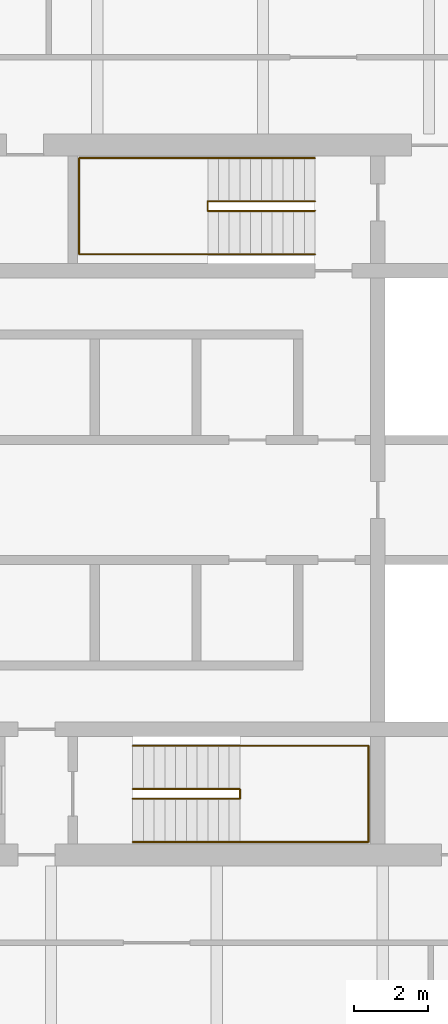
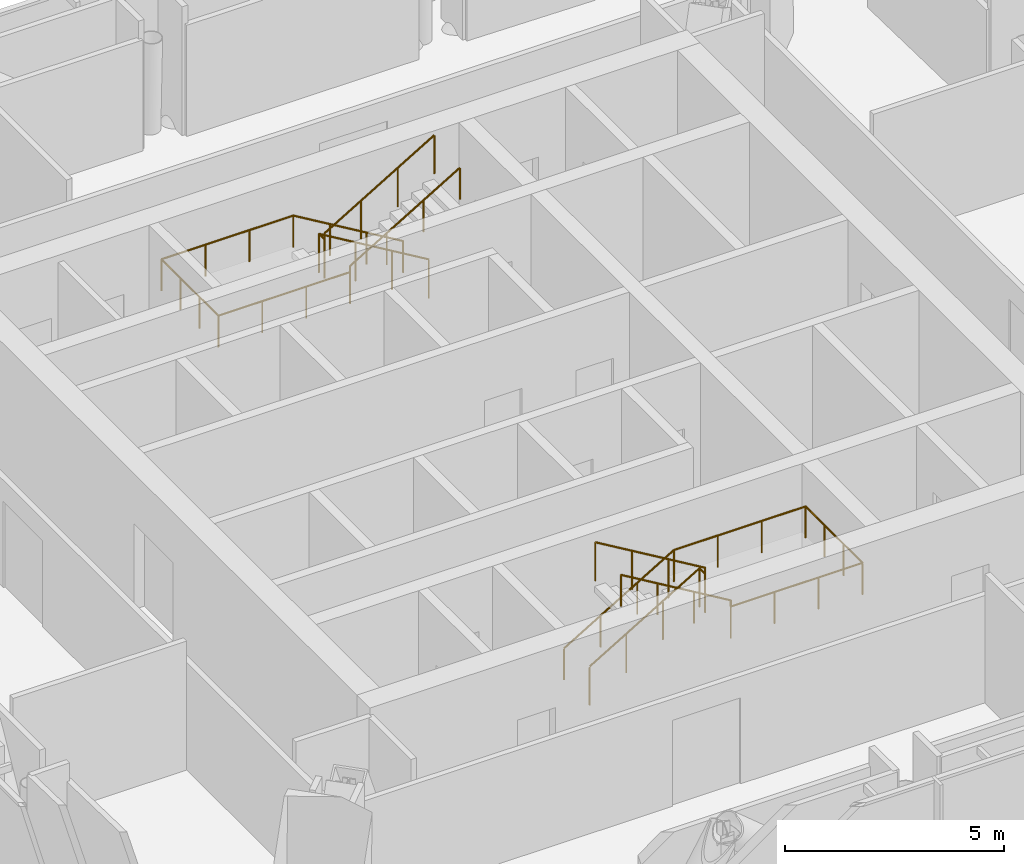
# One storey, part 8 of 8: 4 railings.
"""IFC4 building model written with IfcOpenShell, lengths in metres."""

import ifcopenshell
import ifcopenshell.guid

model = None  # the IFC model being written
_history = None  # IfcOwnerHistory: only IFC2X3 demands one
_inside = {}  # id of a spatial element -> (the spatial element, [elements in it])
_under = {}  # id of a project, library or spatial element -> (it, [spatial elements below it])
_declared = {}  # id of a project -> (the project, [libraries it declares])
_typed = {}  # id of a type object -> (the type object, [elements of that type])
_made_of = {}  # id of a material, layer set ... -> (it, [elements and type objects made of it])


def new_model(schema):
    """Start an empty IFC model of exactly this schema.

    Asked for "IFC4X3", IfcOpenShell would pick the latest addendum, in which some entities
    have other attributes; the version numbers below select the first issue.
    IFC2X3 requires an IfcOwnerHistory on every rooted entity: one is made here for all.
    """
    global model, _history
    if schema == "IFC4X3":
        model = ifcopenshell.file(schema_version=(4, 3, 0, 0))
    else:
        model = ifcopenshell.file(schema=schema)
    _inside.clear()
    _under.clear()
    _declared.clear()
    _typed.clear()
    _made_of.clear()
    _history = None
    if model.schema == "IFC2X3":
        org = make("IfcOrganization", Name="unknown")
        user = make(
            "IfcPersonAndOrganization",
            ThePerson=make("IfcPerson", FamilyName="unknown"),
            TheOrganization=org,
        )
        app = make(
            "IfcApplication",
            ApplicationDeveloper=org,
            Version="unknown",
            ApplicationFullName="unknown",
            ApplicationIdentifier="unknown",
        )
        _history = make(
            "IfcOwnerHistory",
            OwningUser=user,
            OwningApplication=app,
            ChangeAction="ADDED",
            CreationDate=0,
        )
    return model


def make(cls, **values):
    """One entity of the class cls with the attributes given. An attribute that is None is left unset."""
    return model.create_entity(
        cls, **{name: value for name, value in values.items() if value is not None}
    )


def rooted(cls, **values):
    """An entity with a GlobalId (a new one), such as an element, a storey or a relation."""
    return make(cls, GlobalId=ifcopenshell.guid.new(), OwnerHistory=_history, **values)


def si_unit(unit_type, name, prefix=None):
    """IfcSIUnit, for example si_unit("LENGTHUNIT", "METRE", prefix="MILLI")."""
    return make("IfcSIUnit", UnitType=unit_type, Prefix=prefix, Name=name)


def assignment(units):
    """IfcUnitAssignment: the units of a project."""
    return None if units is None else make("IfcUnitAssignment", Units=units)


def point(xyz):
    """IfcCartesianPoint."""
    return None if xyz is None else make("IfcCartesianPoint", Coordinates=xyz)


def direction(xyz):
    """IfcDirection."""
    return None if xyz is None else make("IfcDirection", DirectionRatios=xyz)


def frame(location, z_axis=None, x_axis=None):
    """IfcAxis2Placement3D, a coordinate frame: its origin and axes. An axis left out is left unset."""
    return make(
        "IfcAxis2Placement3D",
        Location=point(location),
        Axis=direction(z_axis),
        RefDirection=direction(x_axis),
    )


def frame_2d(location, x_axis=None):
    """IfcAxis2Placement2D, a coordinate frame in the plane: its origin and x axis."""
    return make(
        "IfcAxis2Placement2D", Location=point(location), RefDirection=direction(x_axis)
    )


def origin():
    """The frame at (0, 0, 0) with its axes left unset."""
    return frame((0.0, 0.0, 0.0))


def origin_2d():
    """The frame at (0, 0) in the plane with its x axis left unset."""
    return frame_2d((0.0, 0.0))


def place(relative_to, where):
    """IfcLocalPlacement: puts the frame where relative to a parent placement (None: the world)."""
    return make(
        "IfcLocalPlacement", PlacementRelTo=relative_to, RelativePlacement=where
    )


def context(
    kind, dimensions, precision=None, world=None, true_north=None, identifier=None
):
    """IfcGeometricRepresentationContext, for example the 3D "Model" context."""
    return make(
        "IfcGeometricRepresentationContext",
        ContextIdentifier=identifier,
        ContextType=kind,
        CoordinateSpaceDimension=dimensions,
        Precision=precision,
        WorldCoordinateSystem=world,
        TrueNorth=true_north,
    )


def subcontext(parent, identifier, kind, view, scale=None):
    """IfcGeometricRepresentationSubContext, for example "Body" below "Model"."""
    return make(
        "IfcGeometricRepresentationSubContext",
        ContextIdentifier=identifier,
        ContextType=kind,
        ParentContext=parent,
        TargetScale=scale,
        TargetView=view,
    )


def project(units=None, contexts=None):
    """IfcProject with its units and contexts."""
    return rooted(
        "IfcProject",
        Name="project",
        RepresentationContexts=contexts,
        UnitsInContext=assignment(units),
    )


def spatial(cls, under=None, at=None, **own):
    """A site, building, storey or space (cls), placed at a placement, below another one or the project."""
    s = rooted(cls, ObjectPlacement=at, **own)
    if under is not None:
        _under.setdefault(under.id(), (under, []))[1].append(s)
    return s


def profile(cls, at=None, kind="AREA", **sizes):
    """A parametric profile (cls). Its sizes go by their IFC names, for example OverallWidth=200.0."""
    return make(cls, ProfileType=kind, Position=at, **sizes)


def circle(**sizes):
    """IfcCircleProfileDef."""
    return profile("IfcCircleProfileDef", **sizes)


def extrude(swept, where, along, depth):
    """IfcExtrudedAreaSolid: the profile swept, set in the frame where, extruded along a direction by depth."""
    return make(
        "IfcExtrudedAreaSolid",
        SweptArea=swept,
        Position=where,
        ExtrudedDirection=direction(along),
        Depth=depth,
    )


def shape(context_of_items, identifier, shape_type, items):
    """IfcShapeRepresentation: the items that make up one representation, for example the "Body"."""
    return make(
        "IfcShapeRepresentation",
        ContextOfItems=context_of_items,
        RepresentationIdentifier=identifier,
        RepresentationType=shape_type,
        Items=items,
    )


def material(Name=None, Category=None):
    """IfcMaterial."""
    return make("IfcMaterial", Name=Name, Category=Category)


def made_of(thing, what):
    """Note that an element or type object is made of a material, layer set ...; save() writes the relation."""
    if what is not None:
        _made_of.setdefault(what.id(), (what, []))[1].append(thing)
    return thing


def type_object(cls, material=None, **own):
    """A type object (cls), such as IfcWallType, which elements share."""
    return made_of(rooted(cls, **own), material)


def element(
    cls,
    number,
    at=None,
    inside=None,
    cuts=None,
    type_object=None,
    material=None,
    context=None,
    identifier="Body",
    shape_type=None,
    held_by="IfcProductDefinitionShape",
    body=None,
    shapes=None,
    **own,
):
    """One element of the class cls, such as IfcWall. Its Tag is "e" and its number.

    at: its placement. inside: the storey or other place that contains it. cuts: it is an
    opening in that element (IfcRelVoidsElement). A single representation is given by context,
    identifier, shape_type and body (its items); several are given by shapes. held_by: the class
    of the entity that holds the representations. save() writes the other relations.
    """
    e = rooted(cls, Tag="e%d" % number, ObjectPlacement=at, **own)
    if body is not None:
        shapes = [shape(context, identifier, shape_type, body)]
    if shapes is not None:
        e.Representation = make(held_by, Representations=shapes)
    if inside is not None:
        _inside.setdefault(inside.id(), (inside, []))[1].append(e)
    if cuts is not None:
        rooted(
            "IfcRelVoidsElement", RelatingBuildingElement=cuts, RelatedOpeningElement=e
        )
    if type_object is not None:
        _typed.setdefault(type_object.id(), (type_object, []))[1].append(e)
    return made_of(e, material)


def aggregate(whole, parts):
    """IfcRelAggregates: a whole, such as a stair, and the parts it consists of."""
    return rooted("IfcRelAggregates", RelatingObject=whole, RelatedObjects=parts)


def save(model, path):
    """Write the relations noted so far, then the file.

    IfcRelAggregates (storeys below a building ...), IfcRelContainedInSpatialStructure (elements
    in a storey), IfcRelDefinesByType, IfcRelAssociatesMaterial and IfcRelDeclares: one each for
    every whole, place, type object, material and project.
    """
    for whole, parts in _under.values():
        aggregate(whole, parts)
    for where, things in _inside.values():
        rooted(
            "IfcRelContainedInSpatialStructure",
            RelatedElements=things,
            RelatingStructure=where,
        )
    for kind, things in _typed.values():
        rooted("IfcRelDefinesByType", RelatedObjects=things, RelatingType=kind)
    for what, things in _made_of.values():
        rooted("IfcRelAssociatesMaterial", RelatedObjects=things, RelatingMaterial=what)
    for by, libraries in _declared.values():
        rooted("IfcRelDeclares", RelatingContext=by, RelatedDefinitions=libraries)
    model.write(path)


model = new_model("IFC4")

# Units and contexts
model_context = context("Model", 3, precision=1e-05, world=origin(), true_north=direction((0.0, 1.0)))
body_context = subcontext(model_context, "Body", "Model", "MODEL_VIEW")
ifc_project = project(units=[si_unit("LENGTHUNIT", "METRE"), si_unit("AREAUNIT", "SQUARE_METRE"), si_unit("VOLUMEUNIT", "CUBIC_METRE"), si_unit("PLANEANGLEUNIT", "RADIAN"), si_unit("MASSUNIT", "GRAM", prefix="KILO")], contexts=[model_context])

# Site, building, storey
site_placement = place(None, origin())
site = spatial("IfcSite", under=ifc_project, at=site_placement, CompositionType="ELEMENT")
building_placement = place(site_placement, origin())
building = spatial("IfcBuilding", under=site, at=building_placement, Name="Ostroluk Exchange", CompositionType="ELEMENT")
storey_placement = place(building_placement, frame((0.0, 0.0, 230.0)))
storey = spatial("IfcBuildingStorey", under=building, at=storey_placement, Name="L59", CompositionType="ELEMENT", Elevation=230.0)

# Railings
ifc_material_1 = material(Name="Steel S355", Category="steel")
railing_type_1 = type_object("IfcRailingType", Name="Stair guard 1100", PredefinedType="GUARDRAIL", material=ifc_material_1)
railing_1_placement = place(storey_placement, frame((42.10009765625, 38.179931640625, 0.172607421875)))
element("IfcRailing", 1, at=railing_1_placement, inside=storey, type_object=railing_type_1, Name="Stair T1-S1 guard L59", PredefinedType="GUARDRAIL", context=body_context, shape_type="SweptSolid", body=[
    extrude(circle(Radius=0.02392578125, at=origin_2d()), frame((0.0, 0.0, 1.076171875), z_axis=(0.859141464434, 0.0, 0.511738159696), x_axis=(0.0, 1.0, 0.0)), (0.0, 0.0, 1.0), 3.375244140625),
    extrude(circle(Radius=0.02392578125, at=origin_2d()), frame((2.89990234375, 0.0, 2.80322265625), z_axis=(0.0, -1.0, 0.0), x_axis=(1.0, 0.0, 0.0)), (0.0, 0.0, 1.0), 0.260009765625),
    extrude(circle(Radius=0.02392578125, at=origin_2d()), frame((2.89990234375, -0.260009765625, 2.80322265625), z_axis=(0.0, 0.0, 1.0), x_axis=(1.0, 0.0, 0.0)), (0.0, 0.0, 1.0), 0.1728515625),
    extrude(circle(Radius=0.02392578125, at=origin_2d()), frame((2.89990234375, -0.260009765625, 2.97607421875), z_axis=(-0.859141464434, 0.0, 0.511738159696), x_axis=(0.0, -1.0, 0.0)), (0.0, 0.0, 1.0), 3.375244140625),
    extrude(circle(Radius=0.02099609375, at=origin_2d()), origin(), (0.0, 0.0, 1.0), 1.052001953125),
    extrude(circle(Radius=0.02099609375, at=origin_2d()), frame((0.966552734375, 0.0, 0.57568359375)), (0.0, 0.0, 1.0), 1.052001953125),
    extrude(circle(Radius=0.02099609375, at=origin_2d()), frame((1.933349609375, 0.0, 1.151611328125)), (0.0, 0.0, 1.0), 1.052001953125),
    extrude(circle(Radius=0.02099609375, at=origin_2d()), frame((2.89990234375, 0.0, 1.727294921875)), (0.0, 0.0, 1.0), 1.052001953125),
    extrude(circle(Radius=0.02099609375, at=origin_2d()), frame((2.89990234375, -0.260009765625, 1.727294921875)), (0.0, 0.0, 1.0), 1.052001953125),
    extrude(circle(Radius=0.02099609375, at=origin_2d()), frame((2.89990234375, -0.260009765625, 1.900146484375)), (0.0, 0.0, 1.0), 1.052001953125),
    extrude(circle(Radius=0.02099609375, at=origin_2d()), frame((1.933349609375, -0.260009765625, 2.475830078125)), (0.0, 0.0, 1.0), 1.052001953125),
    extrude(circle(Radius=0.02099609375, at=origin_2d()), frame((0.966552734375, -0.260009765625, 3.0517578125)), (0.0, 0.0, 1.0), 1.052001953125),
    extrude(circle(Radius=0.02099609375, at=origin_2d()), frame((0.0, -0.260009765625, 3.62744140625)), (0.0, 0.0, 1.0), 1.052001953125),
])
railing_2_placement = place(storey_placement, frame((47.030029296875, 54.080078125, 0.172607421875)))
element("IfcRailing", 2, at=railing_2_placement, inside=storey, type_object=railing_type_1, Name="Stair T1-S2 guard L59", PredefinedType="GUARDRAIL", context=body_context, shape_type="SweptSolid", body=[
    extrude(circle(Radius=0.02392578125, at=origin_2d()), frame((0.0, 0.0, 1.076171875), z_axis=(-0.859160404282, 0.0, 0.51170636083), x_axis=(0.0, -1.0, 0.0)), (0.0, 0.0, 1.0), 3.37548828125),
    extrude(circle(Radius=0.02392578125, at=origin_2d()), frame((-2.900146484375, 0.0, 2.80322265625), z_axis=(0.0, -1.0, 0.0), x_axis=(1.0, 0.0, 0.0)), (0.0, 0.0, 1.0), 0.260009765625),
    extrude(circle(Radius=0.02392578125, at=origin_2d()), frame((-2.900146484375, -0.260009765625, 2.80322265625), z_axis=(0.0, 0.0, 1.0), x_axis=(1.0, 0.0, 0.0)), (0.0, 0.0, 1.0), 0.1728515625),
    extrude(circle(Radius=0.02392578125, at=origin_2d()), frame((-2.900146484375, -0.260009765625, 2.97607421875), z_axis=(0.859160404282, 0.0, 0.51170636083), x_axis=(0.0, 1.0, 0.0)), (0.0, 0.0, 1.0), 3.37548828125),
    extrude(circle(Radius=0.02099609375, at=origin_2d()), origin(), (0.0, 0.0, 1.0), 1.052001953125),
    extrude(circle(Radius=0.02099609375, at=origin_2d()), frame((-0.966796875, 0.0, 0.57568359375)), (0.0, 0.0, 1.0), 1.052001953125),
    extrude(circle(Radius=0.02099609375, at=origin_2d()), frame((-1.933349609375, 0.0, 1.151611328125)), (0.0, 0.0, 1.0), 1.052001953125),
    extrude(circle(Radius=0.02099609375, at=origin_2d()), frame((-2.900146484375, 0.0, 1.727294921875)), (0.0, 0.0, 1.0), 1.052001953125),
    extrude(circle(Radius=0.02099609375, at=origin_2d()), frame((-2.900146484375, -0.260009765625, 1.727294921875)), (0.0, 0.0, 1.0), 1.052001953125),
    extrude(circle(Radius=0.02099609375, at=origin_2d()), frame((-2.900146484375, -0.260009765625, 1.900146484375)), (0.0, 0.0, 1.0), 1.052001953125),
    extrude(circle(Radius=0.02099609375, at=origin_2d()), frame((-1.933349609375, -0.260009765625, 2.475830078125)), (0.0, 0.0, 1.0), 1.052001953125),
    extrude(circle(Radius=0.02099609375, at=origin_2d()), frame((-0.966796875, -0.260009765625, 3.0517578125)), (0.0, 0.0, 1.0), 1.052001953125),
    extrude(circle(Radius=0.02099609375, at=origin_2d()), frame((0.0, -0.260009765625, 3.62744140625)), (0.0, 0.0, 1.0), 1.052001953125),
])
ifc_material_2 = material(Name="Stainless steel", Category="steel")
railing_type_2 = type_object("IfcRailingType", Name="Stair handrail 900", PredefinedType="HANDRAIL", material=ifc_material_2)
railing_3_placement = place(storey_placement, frame((42.10009765625, 39.35009765625, 0.172607421875)))
element("IfcRailing", 3, at=railing_3_placement, inside=storey, type_object=railing_type_2, Name="Stair T1-S1 handrail L59", PredefinedType="HANDRAIL", context=body_context, shape_type="SweptSolid", body=[
    extrude(circle(Radius=0.02392578125, at=origin_2d()), frame((0.0, 0.0, 0.8759765625), z_axis=(0.859141464434, 0.0, 0.511738159696), x_axis=(0.0, 1.0, 0.0)), (0.0, 0.0, 1.0), 3.375244140625),
    extrude(circle(Radius=0.02392578125, at=origin_2d()), frame((2.89990234375, 0.0, 2.60302734375), z_axis=(1.0, 0.0, 0.0), x_axis=(0.0, 1.0, 0.0)), (0.0, 0.0, 1.0), 3.47998046875),
    extrude(circle(Radius=0.02392578125, at=origin_2d()), frame((6.3798828125, 0.0, 2.60302734375), z_axis=(0.0, -1.0, 0.0), x_axis=(1.0, 0.0, 0.0)), (0.0, 0.0, 1.0), 2.60009765625),
    extrude(circle(Radius=0.02392578125, at=origin_2d()), frame((6.3798828125, -2.60009765625, 2.60302734375), z_axis=(-1.0, 0.0, 0.0), x_axis=(0.0, -1.0, 0.0)), (0.0, 0.0, 1.0), 3.47998046875),
    extrude(circle(Radius=0.02392578125, at=origin_2d()), frame((2.89990234375, -2.60009765625, 2.60302734375), z_axis=(0.0, 0.0, 1.0), x_axis=(1.0, 0.0, 0.0)), (0.0, 0.0, 1.0), 0.1728515625),
    extrude(circle(Radius=0.02392578125, at=origin_2d()), frame((2.89990234375, -2.60009765625, 2.77587890625), z_axis=(-0.859141464434, 0.0, 0.511738159696), x_axis=(0.0, -1.0, 0.0)), (0.0, 0.0, 1.0), 3.375244140625),
    extrude(circle(Radius=0.02099609375, at=origin_2d()), origin(), (0.0, 0.0, 1.0), 0.851806640625),
    extrude(circle(Radius=0.02099609375, at=origin_2d()), frame((0.966552734375, 0.0, 0.57568359375)), (0.0, 0.0, 1.0), 0.851806640625),
    extrude(circle(Radius=0.02099609375, at=origin_2d()), frame((1.933349609375, 0.0, 1.151611328125)), (0.0, 0.0, 1.0), 0.851806640625),
    extrude(circle(Radius=0.02099609375, at=origin_2d()), frame((2.89990234375, 0.0, 1.727294921875)), (0.0, 0.0, 1.0), 0.851806640625),
    extrude(circle(Radius=0.02099609375, at=origin_2d()), frame((4.059814453125, 0.0, 1.727294921875)), (0.0, 0.0, 1.0), 0.851806640625),
    extrude(circle(Radius=0.02099609375, at=origin_2d()), frame((5.219970703125, 0.0, 1.727294921875)), (0.0, 0.0, 1.0), 0.851806640625),
    extrude(circle(Radius=0.02099609375, at=origin_2d()), frame((6.3798828125, 0.0, 1.727294921875)), (0.0, 0.0, 1.0), 0.851806640625),
    extrude(circle(Radius=0.02099609375, at=origin_2d()), frame((6.3798828125, -0.86669921875, 1.727294921875)), (0.0, 0.0, 1.0), 0.851806640625),
    extrude(circle(Radius=0.02099609375, at=origin_2d()), frame((6.3798828125, -1.7333984375, 1.727294921875)), (0.0, 0.0, 1.0), 0.851806640625),
    extrude(circle(Radius=0.02099609375, at=origin_2d()), frame((6.3798828125, -2.60009765625, 1.727294921875)), (0.0, 0.0, 1.0), 0.851806640625),
    extrude(circle(Radius=0.02099609375, at=origin_2d()), frame((5.219970703125, -2.60009765625, 1.727294921875)), (0.0, 0.0, 1.0), 0.851806640625),
    extrude(circle(Radius=0.02099609375, at=origin_2d()), frame((4.059814453125, -2.60009765625, 1.727294921875)), (0.0, 0.0, 1.0), 0.851806640625),
    extrude(circle(Radius=0.02099609375, at=origin_2d()), frame((2.89990234375, -2.60009765625, 1.727294921875)), (0.0, 0.0, 1.0), 0.851806640625),
    extrude(circle(Radius=0.02099609375, at=origin_2d()), frame((2.89990234375, -2.60009765625, 1.900146484375)), (0.0, 0.0, 1.0), 0.851806640625),
    extrude(circle(Radius=0.02099609375, at=origin_2d()), frame((1.933349609375, -2.60009765625, 2.475830078125)), (0.0, 0.0, 1.0), 0.851806640625),
    extrude(circle(Radius=0.02099609375, at=origin_2d()), frame((0.966552734375, -2.60009765625, 3.0517578125)), (0.0, 0.0, 1.0), 0.851806640625),
    extrude(circle(Radius=0.02099609375, at=origin_2d()), frame((0.0, -2.60009765625, 3.62744140625)), (0.0, 0.0, 1.0), 0.851806640625),
])
railing_4_placement = place(storey_placement, frame((47.030029296875, 55.25, 0.172607421875)))
element("IfcRailing", 4, at=railing_4_placement, inside=storey, type_object=railing_type_2, Name="Stair T1-S2 handrail L59", PredefinedType="HANDRAIL", context=body_context, shape_type="SweptSolid", body=[
    extrude(circle(Radius=0.02392578125, at=origin_2d()), frame((0.0, 0.0, 0.8759765625), z_axis=(-0.859160404282, 0.0, 0.51170636083), x_axis=(0.0, -1.0, 0.0)), (0.0, 0.0, 1.0), 3.37548828125),
    extrude(circle(Radius=0.02392578125, at=origin_2d()), frame((-2.900146484375, 0.0, 2.60302734375), z_axis=(-1.0, 0.0, 0.0), x_axis=(0.0, -1.0, 0.0)), (0.0, 0.0, 1.0), 3.47998046875),
    extrude(circle(Radius=0.02392578125, at=origin_2d()), frame((-6.380126953125, 0.0, 2.60302734375), z_axis=(0.0, -1.0, 0.0), x_axis=(1.0, 0.0, 0.0)), (0.0, 0.0, 1.0), 2.60009765625),
    extrude(circle(Radius=0.02392578125, at=origin_2d()), frame((-6.380126953125, -2.60009765625, 2.60302734375), z_axis=(1.0, 0.0, 0.0), x_axis=(0.0, 1.0, 0.0)), (0.0, 0.0, 1.0), 3.47998046875),
    extrude(circle(Radius=0.02392578125, at=origin_2d()), frame((-2.900146484375, -2.60009765625, 2.60302734375), z_axis=(0.0, 0.0, 1.0), x_axis=(1.0, 0.0, 0.0)), (0.0, 0.0, 1.0), 0.1728515625),
    extrude(circle(Radius=0.02392578125, at=origin_2d()), frame((-2.900146484375, -2.60009765625, 2.77587890625), z_axis=(0.859160404282, 0.0, 0.51170636083), x_axis=(0.0, 1.0, 0.0)), (0.0, 0.0, 1.0), 3.37548828125),
    extrude(circle(Radius=0.02099609375, at=origin_2d()), origin(), (0.0, 0.0, 1.0), 0.851806640625),
    extrude(circle(Radius=0.02099609375, at=origin_2d()), frame((-0.966796875, 0.0, 0.57568359375)), (0.0, 0.0, 1.0), 0.851806640625),
    extrude(circle(Radius=0.02099609375, at=origin_2d()), frame((-1.933349609375, 0.0, 1.151611328125)), (0.0, 0.0, 1.0), 0.851806640625),
    extrude(circle(Radius=0.02099609375, at=origin_2d()), frame((-2.900146484375, 0.0, 1.727294921875)), (0.0, 0.0, 1.0), 0.851806640625),
    extrude(circle(Radius=0.02099609375, at=origin_2d()), frame((-4.06005859375, 0.0, 1.727294921875)), (0.0, 0.0, 1.0), 0.851806640625),
    extrude(circle(Radius=0.02099609375, at=origin_2d()), frame((-5.22021484375, 0.0, 1.727294921875)), (0.0, 0.0, 1.0), 0.851806640625),
    extrude(circle(Radius=0.02099609375, at=origin_2d()), frame((-6.380126953125, 0.0, 1.727294921875)), (0.0, 0.0, 1.0), 0.851806640625),
    extrude(circle(Radius=0.02099609375, at=origin_2d()), frame((-6.380126953125, -0.86669921875, 1.727294921875)), (0.0, 0.0, 1.0), 0.851806640625),
    extrude(circle(Radius=0.02099609375, at=origin_2d()), frame((-6.380126953125, -1.7333984375, 1.727294921875)), (0.0, 0.0, 1.0), 0.851806640625),
    extrude(circle(Radius=0.02099609375, at=origin_2d()), frame((-6.380126953125, -2.60009765625, 1.727294921875)), (0.0, 0.0, 1.0), 0.851806640625),
    extrude(circle(Radius=0.02099609375, at=origin_2d()), frame((-5.22021484375, -2.60009765625, 1.727294921875)), (0.0, 0.0, 1.0), 0.851806640625),
    extrude(circle(Radius=0.02099609375, at=origin_2d()), frame((-4.06005859375, -2.60009765625, 1.727294921875)), (0.0, 0.0, 1.0), 0.851806640625),
    extrude(circle(Radius=0.02099609375, at=origin_2d()), frame((-2.900146484375, -2.60009765625, 1.727294921875)), (0.0, 0.0, 1.0), 0.851806640625),
    extrude(circle(Radius=0.02099609375, at=origin_2d()), frame((-2.900146484375, -2.60009765625, 1.900146484375)), (0.0, 0.0, 1.0), 0.851806640625),
    extrude(circle(Radius=0.02099609375, at=origin_2d()), frame((-1.933349609375, -2.60009765625, 2.475830078125)), (0.0, 0.0, 1.0), 0.851806640625),
    extrude(circle(Radius=0.02099609375, at=origin_2d()), frame((-0.966796875, -2.60009765625, 3.0517578125)), (0.0, 0.0, 1.0), 0.851806640625),
    extrude(circle(Radius=0.02099609375, at=origin_2d()), frame((0.0, -2.60009765625, 3.62744140625)), (0.0, 0.0, 1.0), 0.851806640625),
])

save(model, "model.ifc")
